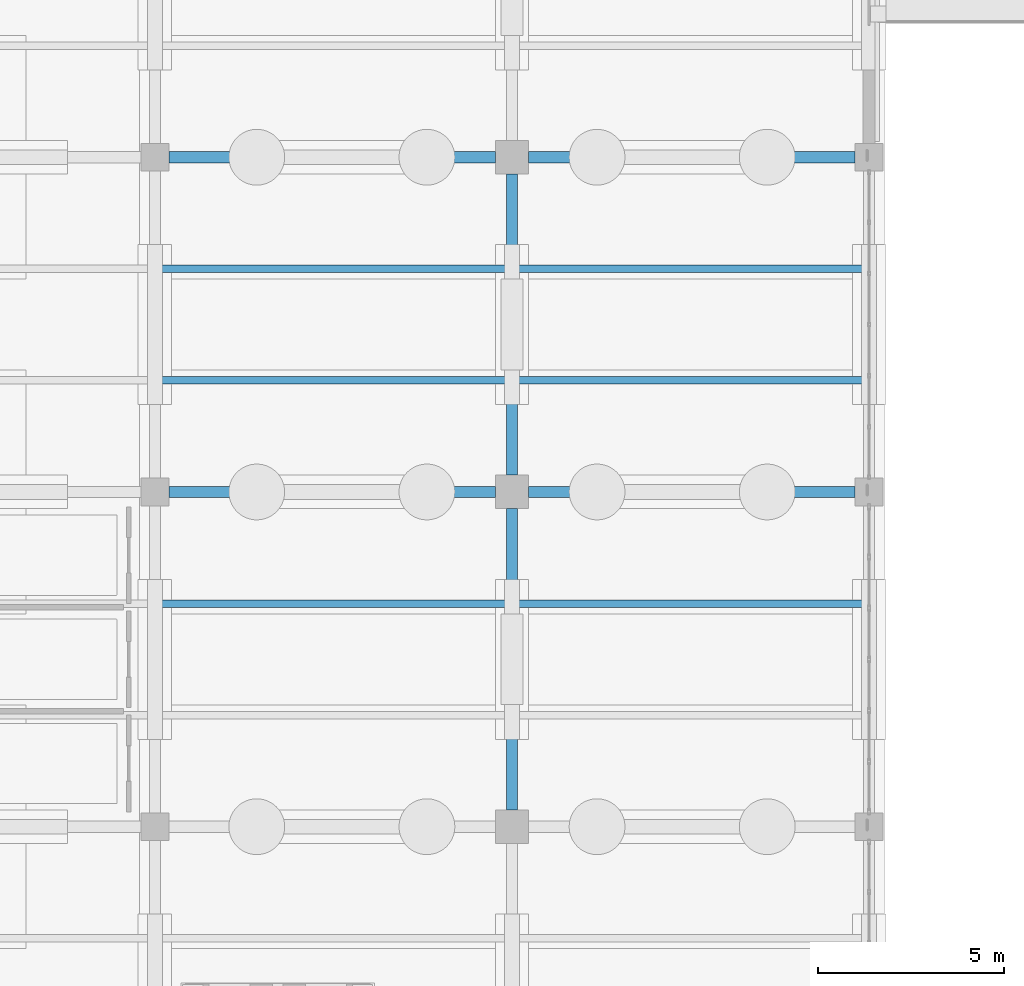
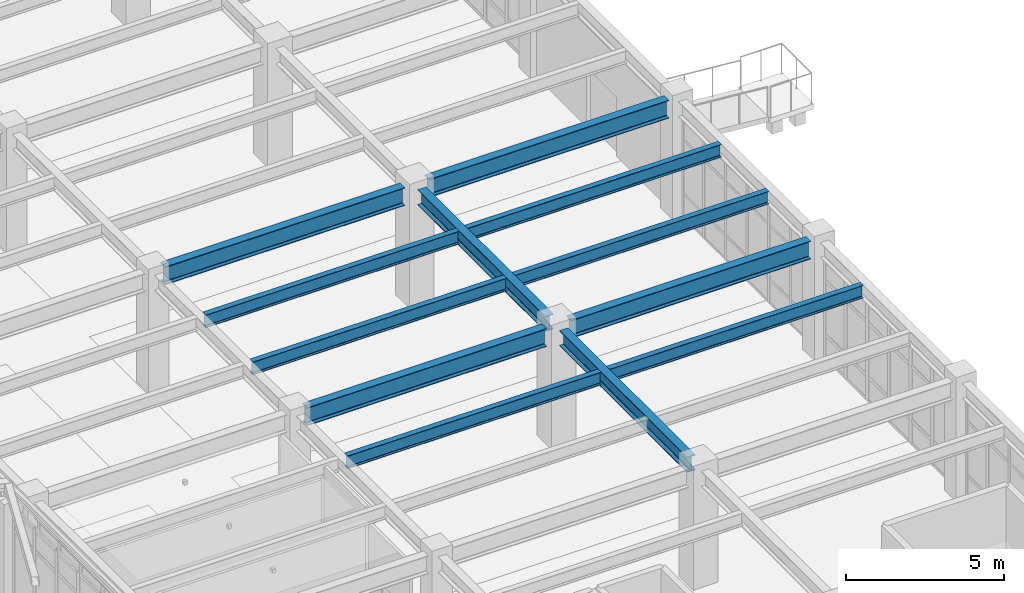
# One storey, part 54 of 139: 12 beams.
"""IFC4 building model written with IfcOpenShell, lengths in metres."""

from ifc_helpers import new_model, si_unit, direction, frame, origin, origin_2d, place, context, subcontext, project, spatial, i_section, extrude, material, material_profile, profile_set, type_object, element, save


model = new_model("IFC4")

# Units and contexts
model_context = context("Model", 3, precision=1e-05, world=origin(), true_north=direction((0.0, 1.0)))
body_context = subcontext(model_context, "Body", "Model", "MODEL_VIEW")
ifc_project = project(units=[si_unit("LENGTHUNIT", "METRE"), si_unit("AREAUNIT", "SQUARE_METRE"), si_unit("VOLUMEUNIT", "CUBIC_METRE"), si_unit("PLANEANGLEUNIT", "RADIAN"), si_unit("MASSUNIT", "GRAM", prefix="KILO")], contexts=[model_context])

# Site, building, storey
site_placement = place(None, origin())
site = spatial("IfcSite", under=ifc_project, at=site_placement, CompositionType="ELEMENT")
building_placement = place(site_placement, origin())
building = spatial("IfcBuilding", under=site, at=building_placement, Name="Canglan Escarpment Cableway Terminal", CompositionType="ELEMENT")
storey_placement = place(building_placement, frame((0.0, 0.0, 14.39990234375)))
storey = spatial("IfcBuildingStorey", under=building, at=storey_placement, Name="L03", CompositionType="ELEMENT", Elevation=14.39990234375)

# Beams
ifc_material_1 = material(Name="Steel Q355C", Category="steel")
ifc_material_profile_1 = material_profile(ifc_material_1, i_section(OverallWidth=0.302001953125, OverallDepth=0.593994140625, WebThickness=0.013916015625, FlangeThickness=0.02294921875, FilletRadius=0.028076171875, at=origin_2d()), Name="HM 594x302x14x23")
ifc_profile_set_1 = profile_set([ifc_material_profile_1], Name="Steel Q355C")
beam_type_1 = type_object("IfcBeamType", Name="BM-HM594", PredefinedType="BEAM", material=ifc_profile_set_1)
for number, where, z_axis, x_axis, name in (
    (1, (156.800048828125, 52.449951171875, 4.203125), (0.0, 1.0, 0.0), (-1.0, 0.0, 0.0), "Primary transverse girder B-07"),
    (2, (156.800048828125, 61.449951171875, 4.203125), (0.0, 1.0, 0.0), (-1.0, 0.0, 0.0), "Primary transverse girder B-07"),
):
    element("IfcBeam", number, at=place(storey_placement, frame(where, z_axis=z_axis, x_axis=x_axis)), inside=storey, type_object=beam_type_1, Name=name, PredefinedType="BEAM", context=body_context, shape_type="SweptSolid", body=[
        extrude(i_section(OverallWidth=0.302001953125, OverallDepth=0.593994140625, WebThickness=0.013916015625, FlangeThickness=0.02294921875, FilletRadius=0.028076171875, at=origin_2d()), origin(), (0.0, 0.0, 1.0), 8.10009765625),
    ])
ifc_material_profile_2 = material_profile(ifc_material_1, i_section(OverallWidth=0.300048828125, OverallDepth=0.699951171875, WebThickness=0.012939453125, FlangeThickness=0.02392578125, FilletRadius=0.028076171875, at=origin_2d()), Name="HN 700x300x13x24")
ifc_profile_set_2 = profile_set([ifc_material_profile_2], Name="Steel Q355C")
beam_type_2 = type_object("IfcBeamType", Name="BM-HN700", PredefinedType="BEAM", material=ifc_profile_set_2)
beam_1_placement = place(storey_placement, frame((147.574951171875, 61.0, 4.150146484375), z_axis=(1.0, 0.0, 0.0), x_axis=(0.0, 1.0, 0.0)))
element("IfcBeam", 3, at=beam_1_placement, inside=storey, type_object=beam_type_2, Name="Primary structural girder B-06", PredefinedType="BEAM", context=body_context, shape_type="SweptSolid", body=[
    extrude(i_section(OverallWidth=0.300048828125, OverallDepth=0.699951171875, WebThickness=0.012939453125, FlangeThickness=0.02392578125, FilletRadius=0.028076171875, at=origin_2d()), origin(), (0.0, 0.0, 1.0), 8.775146484375),
])
beam_2_placement = place(storey_placement, frame((157.25, 61.0, 4.150146484375), z_axis=(1.0, 0.0, 0.0), x_axis=(0.0, 1.0, 0.0)))
element("IfcBeam", 4, at=beam_2_placement, inside=storey, type_object=beam_type_2, Name="Primary structural girder B-06", PredefinedType="BEAM", context=body_context, shape_type="SweptSolid", body=[
    extrude(i_section(OverallWidth=0.300048828125, OverallDepth=0.699951171875, WebThickness=0.012939453125, FlangeThickness=0.02392578125, FilletRadius=0.028076171875, at=origin_2d()), origin(), (0.0, 0.0, 1.0), 8.77490234375),
])
beam_3_placement = place(storey_placement, frame((147.574951171875, 70.0, 4.150146484375), z_axis=(1.0, 0.0, 0.0), x_axis=(0.0, 1.0, 0.0)))
element("IfcBeam", 5, at=beam_3_placement, inside=storey, type_object=beam_type_2, Name="Primary structural girder B-06", PredefinedType="BEAM", context=body_context, shape_type="SweptSolid", body=[
    extrude(i_section(OverallWidth=0.300048828125, OverallDepth=0.699951171875, WebThickness=0.012939453125, FlangeThickness=0.02392578125, FilletRadius=0.028076171875, at=origin_2d()), origin(), (0.0, 0.0, 1.0), 8.775146484375),
])
beam_4_placement = place(storey_placement, frame((157.25, 70.0, 4.150146484375), z_axis=(1.0, 0.0, 0.0), x_axis=(0.0, 1.0, 0.0)))
element("IfcBeam", 6, at=beam_4_placement, inside=storey, type_object=beam_type_2, Name="Primary structural girder B-06", PredefinedType="BEAM", context=body_context, shape_type="SweptSolid", body=[
    extrude(i_section(OverallWidth=0.300048828125, OverallDepth=0.699951171875, WebThickness=0.012939453125, FlangeThickness=0.02392578125, FilletRadius=0.028076171875, at=origin_2d()), origin(), (0.0, 0.0, 1.0), 8.77490234375),
])
ifc_material_2 = material(Name="Steel Q355B", Category="steel")
ifc_material_profile_3 = material_profile(ifc_material_2, i_section(OverallWidth=0.199951171875, OverallDepth=0.5, WebThickness=0.010009765625, FlangeThickness=0.01611328125, FilletRadius=0.02001953125, at=origin_2d()), Name="HN 500x200x10x16")
ifc_profile_set_3 = profile_set([ifc_material_profile_3], Name="Steel Q355B")
beam_type_3 = type_object("IfcBeamType", Name="JS-HN500", PredefinedType="JOIST", material=ifc_profile_set_3)
for number, where, z_axis, x_axis, name in (
    (7, (147.35107421875, 58.0, 4.25), (1.0, 0.0, 0.0), (0.0, 1.0, 0.0), "Secondary composite deck joist J-01"),
    (8, (147.35107421875, 64.0, 4.25), (1.0, 0.0, 0.0), (0.0, 1.0, 0.0), "Secondary composite deck joist J-01"),
    (9, (147.35107421875, 67.0, 4.25), (1.0, 0.0, 0.0), (0.0, 1.0, 0.0), "Secondary composite deck joist J-01"),
):
    element("IfcBeam", number, at=place(storey_placement, frame(where, z_axis=z_axis, x_axis=x_axis)), inside=storey, type_object=beam_type_3, Name=name, PredefinedType="JOIST", context=body_context, shape_type="SweptSolid", body=[
        extrude(i_section(OverallWidth=0.199951171875, OverallDepth=0.5, WebThickness=0.010009765625, FlangeThickness=0.01611328125, FilletRadius=0.02001953125, at=origin_2d()), origin(), (0.0, 0.0, 1.0), 9.2978515625),
    ])
for number, where, z_axis, x_axis, name in (
    (10, (156.950927734375, 58.0, 4.25), (1.0, 0.0, 0.0), (0.0, 1.0, 0.0), "Secondary composite deck joist J-01"),
    (11, (156.950927734375, 64.0, 4.25), (1.0, 0.0, 0.0), (0.0, 1.0, 0.0), "Secondary composite deck joist J-01"),
    (12, (156.950927734375, 67.0, 4.25), (1.0, 0.0, 0.0), (0.0, 1.0, 0.0), "Secondary composite deck joist J-01"),
):
    element("IfcBeam", number, at=place(storey_placement, frame(where, z_axis=z_axis, x_axis=x_axis)), inside=storey, type_object=beam_type_3, Name=name, PredefinedType="JOIST", context=body_context, shape_type="SweptSolid", body=[
        extrude(i_section(OverallWidth=0.199951171875, OverallDepth=0.5, WebThickness=0.010009765625, FlangeThickness=0.01611328125, FilletRadius=0.02001953125, at=origin_2d()), origin(), (0.0, 0.0, 1.0), 9.298095703125),
    ])

save(model, "model.ifc")
